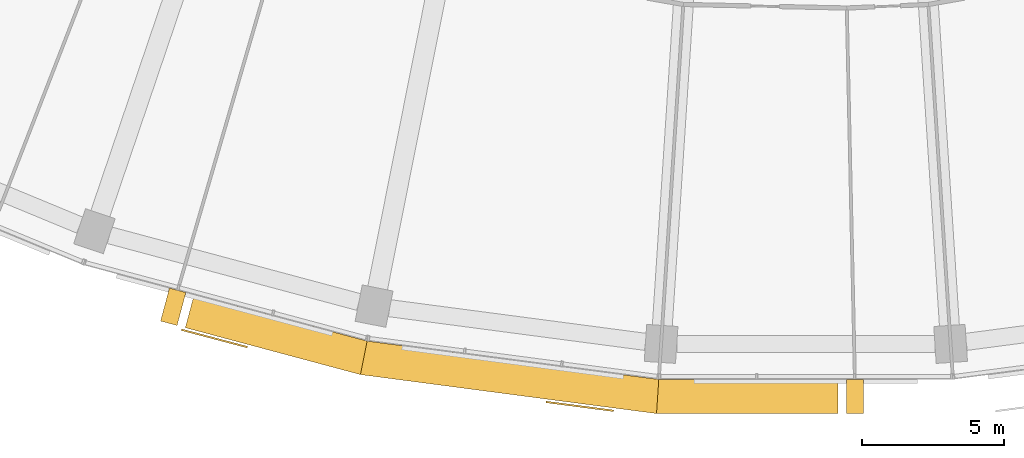
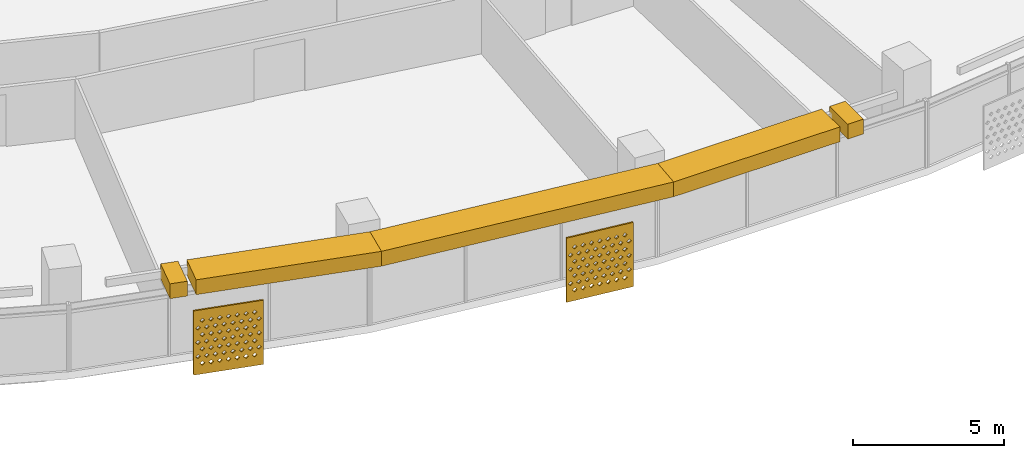
# One storey, part 24 of 27: 7 shading devices.
"""IFC4 building model written with IfcOpenShell, lengths in metres."""

import ifcopenshell
import ifcopenshell.guid

model = None  # the IFC model being written
_history = None  # IfcOwnerHistory: only IFC2X3 demands one
_inside = {}  # id of a spatial element -> (the spatial element, [elements in it])
_under = {}  # id of a project, library or spatial element -> (it, [spatial elements below it])
_declared = {}  # id of a project -> (the project, [libraries it declares])
_typed = {}  # id of a type object -> (the type object, [elements of that type])
_made_of = {}  # id of a material, layer set ... -> (it, [elements and type objects made of it])


def new_model(schema):
    """Start an empty IFC model of exactly this schema.

    Asked for "IFC4X3", IfcOpenShell would pick the latest addendum, in which some entities
    have other attributes; the version numbers below select the first issue.
    IFC2X3 requires an IfcOwnerHistory on every rooted entity: one is made here for all.
    """
    global model, _history
    if schema == "IFC4X3":
        model = ifcopenshell.file(schema_version=(4, 3, 0, 0))
    else:
        model = ifcopenshell.file(schema=schema)
    _inside.clear()
    _under.clear()
    _declared.clear()
    _typed.clear()
    _made_of.clear()
    _history = None
    if model.schema == "IFC2X3":
        org = make("IfcOrganization", Name="unknown")
        user = make(
            "IfcPersonAndOrganization",
            ThePerson=make("IfcPerson", FamilyName="unknown"),
            TheOrganization=org,
        )
        app = make(
            "IfcApplication",
            ApplicationDeveloper=org,
            Version="unknown",
            ApplicationFullName="unknown",
            ApplicationIdentifier="unknown",
        )
        _history = make(
            "IfcOwnerHistory",
            OwningUser=user,
            OwningApplication=app,
            ChangeAction="ADDED",
            CreationDate=0,
        )
    return model


def make(cls, **values):
    """One entity of the class cls with the attributes given. An attribute that is None is left unset."""
    return model.create_entity(
        cls, **{name: value for name, value in values.items() if value is not None}
    )


def rooted(cls, **values):
    """An entity with a GlobalId (a new one), such as an element, a storey or a relation."""
    return make(cls, GlobalId=ifcopenshell.guid.new(), OwnerHistory=_history, **values)


def si_unit(unit_type, name, prefix=None):
    """IfcSIUnit, for example si_unit("LENGTHUNIT", "METRE", prefix="MILLI")."""
    return make("IfcSIUnit", UnitType=unit_type, Prefix=prefix, Name=name)


def assignment(units):
    """IfcUnitAssignment: the units of a project."""
    return None if units is None else make("IfcUnitAssignment", Units=units)


def point(xyz):
    """IfcCartesianPoint."""
    return None if xyz is None else make("IfcCartesianPoint", Coordinates=xyz)


def direction(xyz):
    """IfcDirection."""
    return None if xyz is None else make("IfcDirection", DirectionRatios=xyz)


def frame(location, z_axis=None, x_axis=None):
    """IfcAxis2Placement3D, a coordinate frame: its origin and axes. An axis left out is left unset."""
    return make(
        "IfcAxis2Placement3D",
        Location=point(location),
        Axis=direction(z_axis),
        RefDirection=direction(x_axis),
    )


def origin():
    """The frame at (0, 0, 0) with its axes left unset."""
    return frame((0.0, 0.0, 0.0))


def place(relative_to, where):
    """IfcLocalPlacement: puts the frame where relative to a parent placement (None: the world)."""
    return make(
        "IfcLocalPlacement", PlacementRelTo=relative_to, RelativePlacement=where
    )


def context(
    kind, dimensions, precision=None, world=None, true_north=None, identifier=None
):
    """IfcGeometricRepresentationContext, for example the 3D "Model" context."""
    return make(
        "IfcGeometricRepresentationContext",
        ContextIdentifier=identifier,
        ContextType=kind,
        CoordinateSpaceDimension=dimensions,
        Precision=precision,
        WorldCoordinateSystem=world,
        TrueNorth=true_north,
    )


def subcontext(parent, identifier, kind, view, scale=None):
    """IfcGeometricRepresentationSubContext, for example "Body" below "Model"."""
    return make(
        "IfcGeometricRepresentationSubContext",
        ContextIdentifier=identifier,
        ContextType=kind,
        ParentContext=parent,
        TargetScale=scale,
        TargetView=view,
    )


def project(units=None, contexts=None):
    """IfcProject with its units and contexts."""
    return rooted(
        "IfcProject",
        Name="project",
        RepresentationContexts=contexts,
        UnitsInContext=assignment(units),
    )


def spatial(cls, under=None, at=None, **own):
    """A site, building, storey or space (cls), placed at a placement, below another one or the project."""
    s = rooted(cls, ObjectPlacement=at, **own)
    if under is not None:
        _under.setdefault(under.id(), (under, []))[1].append(s)
    return s


def polyline(points):
    """IfcPolyline through the points."""
    return make("IfcPolyline", Points=[point(p) for p in points])


def outline(outer, holes=None, kind="AREA"):
    """IfcArbitraryClosedProfileDef: a profile drawn as a closed curve; with holes, ...WithVoids."""
    if holes is None:
        return make("IfcArbitraryClosedProfileDef", ProfileType=kind, OuterCurve=outer)
    return make(
        "IfcArbitraryProfileDefWithVoids",
        ProfileType=kind,
        OuterCurve=outer,
        InnerCurves=holes,
    )


def extrude(swept, where, along, depth):
    """IfcExtrudedAreaSolid: the profile swept, set in the frame where, extruded along a direction by depth."""
    return make(
        "IfcExtrudedAreaSolid",
        SweptArea=swept,
        Position=where,
        ExtrudedDirection=direction(along),
        Depth=depth,
    )


def shape(context_of_items, identifier, shape_type, items):
    """IfcShapeRepresentation: the items that make up one representation, for example the "Body"."""
    return make(
        "IfcShapeRepresentation",
        ContextOfItems=context_of_items,
        RepresentationIdentifier=identifier,
        RepresentationType=shape_type,
        Items=items,
    )


def material(Name=None, Category=None):
    """IfcMaterial."""
    return make("IfcMaterial", Name=Name, Category=Category)


def material_profile(
    of_material, cross_section, Name=None, Category=None, Priority=None
):
    """IfcMaterialProfile: a cross section and its material."""
    return make(
        "IfcMaterialProfile",
        Name=Name,
        Material=of_material,
        Profile=cross_section,
        Priority=Priority,
        Category=Category,
    )


def profile_set(profiles, Name=None, composite=None):
    """IfcMaterialProfileSet."""
    return make(
        "IfcMaterialProfileSet",
        Name=Name,
        MaterialProfiles=profiles,
        CompositeProfile=composite,
    )


def made_of(thing, what):
    """Note that an element or type object is made of a material, layer set ...; save() writes the relation."""
    if what is not None:
        _made_of.setdefault(what.id(), (what, []))[1].append(thing)
    return thing


def type_object(cls, material=None, **own):
    """A type object (cls), such as IfcWallType, which elements share."""
    return made_of(rooted(cls, **own), material)


def element(
    cls,
    number,
    at=None,
    inside=None,
    cuts=None,
    type_object=None,
    material=None,
    context=None,
    identifier="Body",
    shape_type=None,
    held_by="IfcProductDefinitionShape",
    body=None,
    shapes=None,
    **own,
):
    """One element of the class cls, such as IfcWall. Its Tag is "e" and its number.

    at: its placement. inside: the storey or other place that contains it. cuts: it is an
    opening in that element (IfcRelVoidsElement). A single representation is given by context,
    identifier, shape_type and body (its items); several are given by shapes. held_by: the class
    of the entity that holds the representations. save() writes the other relations.
    """
    e = rooted(cls, Tag="e%d" % number, ObjectPlacement=at, **own)
    if body is not None:
        shapes = [shape(context, identifier, shape_type, body)]
    if shapes is not None:
        e.Representation = make(held_by, Representations=shapes)
    if inside is not None:
        _inside.setdefault(inside.id(), (inside, []))[1].append(e)
    if cuts is not None:
        rooted(
            "IfcRelVoidsElement", RelatingBuildingElement=cuts, RelatedOpeningElement=e
        )
    if type_object is not None:
        _typed.setdefault(type_object.id(), (type_object, []))[1].append(e)
    return made_of(e, material)


def aggregate(whole, parts):
    """IfcRelAggregates: a whole, such as a stair, and the parts it consists of."""
    return rooted("IfcRelAggregates", RelatingObject=whole, RelatedObjects=parts)


def save(model, path):
    """Write the relations noted so far, then the file.

    IfcRelAggregates (storeys below a building ...), IfcRelContainedInSpatialStructure (elements
    in a storey), IfcRelDefinesByType, IfcRelAssociatesMaterial and IfcRelDeclares: one each for
    every whole, place, type object, material and project.
    """
    for whole, parts in _under.values():
        aggregate(whole, parts)
    for where, things in _inside.values():
        rooted(
            "IfcRelContainedInSpatialStructure",
            RelatedElements=things,
            RelatingStructure=where,
        )
    for kind, things in _typed.values():
        rooted("IfcRelDefinesByType", RelatedObjects=things, RelatingType=kind)
    for what, things in _made_of.values():
        rooted("IfcRelAssociatesMaterial", RelatedObjects=things, RelatingMaterial=what)
    for by, libraries in _declared.values():
        rooted("IfcRelDeclares", RelatingContext=by, RelatedDefinitions=libraries)
    model.write(path)


model = new_model("IFC4")

# Units and contexts
model_context = context("Model", 3, precision=1e-05, world=origin(), true_north=direction((0.0, 1.0)))
body_context = subcontext(model_context, "Body", "Model", "MODEL_VIEW")
ifc_project = project(units=[si_unit("LENGTHUNIT", "METRE"), si_unit("AREAUNIT", "SQUARE_METRE"), si_unit("VOLUMEUNIT", "CUBIC_METRE"), si_unit("PLANEANGLEUNIT", "RADIAN"), si_unit("MASSUNIT", "GRAM", prefix="KILO")], contexts=[model_context])

# Site, building, storey
site_placement = place(None, origin())
site = spatial("IfcSite", under=ifc_project, at=site_placement, CompositionType="ELEMENT")
building_placement = place(site_placement, origin())
building = spatial("IfcBuilding", under=site, at=building_placement, Name="Qamariyya Broadcast Tower", CompositionType="ELEMENT")
storey_placement = place(building_placement, frame((0.0, 0.0, 175.89990234375)))
storey = spatial("IfcBuildingStorey", under=building, at=storey_placement, Name="L41", CompositionType="ELEMENT", Elevation=175.89990234375)

# Shading devices
ifc_material_1 = material(Name="Steel S355 powder coated deep red", Category="steel")
shading_device_type_1 = type_object("IfcShadingDeviceType", Name="Deep red frame, powder coated steel box section", PredefinedType="USERDEFINED", material=ifc_material_1)
shading_device_1_placement = place(storey_placement, frame((0.0, 0.0, 3.2001953125)))
element("IfcShadingDevice", 1, at=shading_device_1_placement, inside=storey, type_object=shading_device_type_1, Name="e-frm-B3-F2-posta-L41", ObjectType="FRAME", PredefinedType="USERDEFINED", context=body_context, shape_type="SweptSolid", body=[
    extrude(outline(polyline([(-22.356201171875, -75.621337890625), (-22.6669921875, -76.780517578125), (-22.08740234375, -76.935791015625), (-21.77685546875, -75.776611328125), (-22.356201171875, -75.621337890625)])), origin(), (0.0, 0.0, 1.0), 0.599853515625),
])
shading_device_2_placement = place(storey_placement, frame((0.0, 0.0, 3.2001953125)))
element("IfcShadingDevice", 2, at=shading_device_2_placement, inside=storey, type_object=shading_device_type_1, Name="e-frm-B3-F2-postb-L41", ObjectType="FRAME", PredefinedType="USERDEFINED", context=body_context, shape_type="SweptSolid", body=[
    extrude(outline(polyline([(1.42236328125, -78.830810546875), (1.42236328125, -80.03076171875), (2.022216796875, -80.03076171875), (2.022216796875, -78.830810546875), (1.42236328125, -78.830810546875)])), origin(), (0.0, 0.0, 1.0), 0.599853515625),
])
shading_device_3_placement = place(storey_placement, frame((0.0, 0.0, 3.2001953125)))
element("IfcShadingDevice", 3, at=shading_device_3_placement, inside=storey, type_object=shading_device_type_1, Name="e-frm-B3-F2-bot0", ObjectType="FRAME", PredefinedType="USERDEFINED", context=body_context, shape_type="SweptSolid", body=[
    extrude(outline(polyline([(-21.487060546875, -75.854248046875), (-21.797607421875, -77.013427734375), (-15.646728515625, -78.66162109375), (-15.412109375, -77.48193359375), (-21.487060546875, -75.854248046875)])), origin(), (0.0, 0.0, 1.0), 0.599853515625),
])
shading_device_4_placement = place(storey_placement, frame((0.0, 0.0, 3.2001953125)))
element("IfcShadingDevice", 4, at=shading_device_4_placement, inside=storey, type_object=shading_device_type_1, Name="e-frm-B3-F2-bot1", ObjectType="FRAME", PredefinedType="USERDEFINED", context=body_context, shape_type="SweptSolid", body=[
    extrude(outline(polyline([(-15.412109375, -77.48193359375), (-15.646728515625, -78.66162109375), (-5.24560546875, -80.03076171875), (-5.166748046875, -78.830810546875), (-15.412109375, -77.48193359375)])), origin(), (0.0, 0.0, 1.0), 0.599853515625),
])
shading_device_5_placement = place(storey_placement, frame((0.0, 0.0, 3.2001953125)))
element("IfcShadingDevice", 5, at=shading_device_5_placement, inside=storey, type_object=shading_device_type_1, Name="e-frm-B3-F2-bot2", ObjectType="FRAME", PredefinedType="USERDEFINED", context=body_context, shape_type="SweptSolid", body=[
    extrude(outline(polyline([(-5.166748046875, -78.830810546875), (-5.24560546875, -80.03076171875), (1.122314453125, -80.03076171875), (1.122314453125, -78.830810546875), (-5.166748046875, -78.830810546875)])), origin(), (0.0, 0.0, 1.0), 0.599853515625),
])
ifc_material_2 = material(Name="Perforated glazed terracotta", Category="masonry")
ifc_material_profile = material_profile(ifc_material_2, outline(polyline([(-1.199951171875, -1.300048828125), (1.199951171875, -1.300048828125), (1.199951171875, 1.300048828125), (-1.199951171875, 1.300048828125), (-1.199951171875, -1.300048828125)]), holes=[polyline([(-0.81494140625, -0.86669921875), (-0.89990234375, -0.78173828125), (-0.985107421875, -0.86669921875), (-0.89990234375, -0.95166015625), (-0.81494140625, -0.86669921875)]), polyline([(-0.514892578125, -0.86669921875), (-0.60009765625, -0.78173828125), (-0.68505859375, -0.86669921875), (-0.60009765625, -0.95166015625), (-0.514892578125, -0.86669921875)]), polyline([(-0.215087890625, -0.86669921875), (-0.300048828125, -0.78173828125), (-0.385009765625, -0.86669921875), (-0.300048828125, -0.95166015625), (-0.215087890625, -0.86669921875)]), polyline([(0.0849609375, -0.86669921875), (0.0, -0.78173828125), (-0.0849609375, -0.86669921875), (0.0, -0.95166015625), (0.0849609375, -0.86669921875)]), polyline([(0.385009765625, -0.86669921875), (0.300048828125, -0.78173828125), (0.215087890625, -0.86669921875), (0.300048828125, -0.95166015625), (0.385009765625, -0.86669921875)]), polyline([(0.68505859375, -0.86669921875), (0.60009765625, -0.78173828125), (0.514892578125, -0.86669921875), (0.60009765625, -0.95166015625), (0.68505859375, -0.86669921875)]), polyline([(0.985107421875, -0.86669921875), (0.89990234375, -0.78173828125), (0.81494140625, -0.86669921875), (0.89990234375, -0.95166015625), (0.985107421875, -0.86669921875)]), polyline([(-0.965087890625, -0.577880859375), (-1.050048828125, -0.49267578125), (-1.135009765625, -0.577880859375), (-1.050048828125, -0.662841796875), (-0.965087890625, -0.577880859375)]), polyline([(-0.6650390625, -0.577880859375), (-0.75, -0.49267578125), (-0.8349609375, -0.577880859375), (-0.75, -0.662841796875), (-0.6650390625, -0.577880859375)]), polyline([(-0.364990234375, -0.577880859375), (-0.449951171875, -0.49267578125), (-0.534912109375, -0.577880859375), (-0.449951171875, -0.662841796875), (-0.364990234375, -0.577880859375)]), polyline([(-0.06494140625, -0.577880859375), (-0.14990234375, -0.49267578125), (-0.235107421875, -0.577880859375), (-0.14990234375, -0.662841796875), (-0.06494140625, -0.577880859375)]), polyline([(0.235107421875, -0.577880859375), (0.14990234375, -0.49267578125), (0.06494140625, -0.577880859375), (0.14990234375, -0.662841796875), (0.235107421875, -0.577880859375)]), polyline([(0.534912109375, -0.577880859375), (0.449951171875, -0.49267578125), (0.364990234375, -0.577880859375), (0.449951171875, -0.662841796875), (0.534912109375, -0.577880859375)]), polyline([(0.8349609375, -0.577880859375), (0.75, -0.49267578125), (0.6650390625, -0.577880859375), (0.75, -0.662841796875), (0.8349609375, -0.577880859375)]), polyline([(1.135009765625, -0.577880859375), (1.050048828125, -0.49267578125), (0.965087890625, -0.577880859375), (1.050048828125, -0.662841796875), (1.135009765625, -0.577880859375)]), polyline([(-0.81494140625, -0.288818359375), (-0.89990234375, -0.203857421875), (-0.985107421875, -0.288818359375), (-0.89990234375, -0.373779296875), (-0.81494140625, -0.288818359375)]), polyline([(-0.514892578125, -0.288818359375), (-0.60009765625, -0.203857421875), (-0.68505859375, -0.288818359375), (-0.60009765625, -0.373779296875), (-0.514892578125, -0.288818359375)]), polyline([(-0.215087890625, -0.288818359375), (-0.300048828125, -0.203857421875), (-0.385009765625, -0.288818359375), (-0.300048828125, -0.373779296875), (-0.215087890625, -0.288818359375)]), polyline([(0.0849609375, -0.288818359375), (0.0, -0.203857421875), (-0.0849609375, -0.288818359375), (0.0, -0.373779296875), (0.0849609375, -0.288818359375)]), polyline([(0.385009765625, -0.288818359375), (0.300048828125, -0.203857421875), (0.215087890625, -0.288818359375), (0.300048828125, -0.373779296875), (0.385009765625, -0.288818359375)]), polyline([(0.68505859375, -0.288818359375), (0.60009765625, -0.203857421875), (0.514892578125, -0.288818359375), (0.60009765625, -0.373779296875), (0.68505859375, -0.288818359375)]), polyline([(0.985107421875, -0.288818359375), (0.89990234375, -0.203857421875), (0.81494140625, -0.288818359375), (0.89990234375, -0.373779296875), (0.985107421875, -0.288818359375)]), polyline([(-0.965087890625, 0.0), (-1.050048828125, 0.0849609375), (-1.135009765625, 0.0), (-1.050048828125, -0.0849609375), (-0.965087890625, 0.0)]), polyline([(-0.6650390625, 0.0), (-0.75, 0.0849609375), (-0.8349609375, 0.0), (-0.75, -0.0849609375), (-0.6650390625, 0.0)]), polyline([(-0.364990234375, 0.0), (-0.449951171875, 0.0849609375), (-0.534912109375, 0.0), (-0.449951171875, -0.0849609375), (-0.364990234375, 0.0)]), polyline([(-0.06494140625, 0.0), (-0.14990234375, 0.0849609375), (-0.235107421875, 0.0), (-0.14990234375, -0.0849609375), (-0.06494140625, 0.0)]), polyline([(0.235107421875, 0.0), (0.14990234375, 0.0849609375), (0.06494140625, 0.0), (0.14990234375, -0.0849609375), (0.235107421875, 0.0)]), polyline([(0.534912109375, 0.0), (0.449951171875, 0.0849609375), (0.364990234375, 0.0), (0.449951171875, -0.0849609375), (0.534912109375, 0.0)]), polyline([(0.8349609375, 0.0), (0.75, 0.0849609375), (0.6650390625, 0.0), (0.75, -0.0849609375), (0.8349609375, 0.0)]), polyline([(1.135009765625, 0.0), (1.050048828125, 0.0849609375), (0.965087890625, 0.0), (1.050048828125, -0.0849609375), (1.135009765625, 0.0)]), polyline([(-0.81494140625, 0.288818359375), (-0.89990234375, 0.373779296875), (-0.985107421875, 0.288818359375), (-0.89990234375, 0.203857421875), (-0.81494140625, 0.288818359375)]), polyline([(-0.514892578125, 0.288818359375), (-0.60009765625, 0.373779296875), (-0.68505859375, 0.288818359375), (-0.60009765625, 0.203857421875), (-0.514892578125, 0.288818359375)]), polyline([(-0.215087890625, 0.288818359375), (-0.300048828125, 0.373779296875), (-0.385009765625, 0.288818359375), (-0.300048828125, 0.203857421875), (-0.215087890625, 0.288818359375)]), polyline([(0.0849609375, 0.288818359375), (0.0, 0.373779296875), (-0.0849609375, 0.288818359375), (0.0, 0.203857421875), (0.0849609375, 0.288818359375)]), polyline([(0.385009765625, 0.288818359375), (0.300048828125, 0.373779296875), (0.215087890625, 0.288818359375), (0.300048828125, 0.203857421875), (0.385009765625, 0.288818359375)]), polyline([(0.68505859375, 0.288818359375), (0.60009765625, 0.373779296875), (0.514892578125, 0.288818359375), (0.60009765625, 0.203857421875), (0.68505859375, 0.288818359375)]), polyline([(0.985107421875, 0.288818359375), (0.89990234375, 0.373779296875), (0.81494140625, 0.288818359375), (0.89990234375, 0.203857421875), (0.985107421875, 0.288818359375)]), polyline([(-0.965087890625, 0.577880859375), (-1.050048828125, 0.662841796875), (-1.135009765625, 0.577880859375), (-1.050048828125, 0.49267578125), (-0.965087890625, 0.577880859375)]), polyline([(-0.6650390625, 0.577880859375), (-0.75, 0.662841796875), (-0.8349609375, 0.577880859375), (-0.75, 0.49267578125), (-0.6650390625, 0.577880859375)]), polyline([(-0.364990234375, 0.577880859375), (-0.449951171875, 0.662841796875), (-0.534912109375, 0.577880859375), (-0.449951171875, 0.49267578125), (-0.364990234375, 0.577880859375)]), polyline([(-0.06494140625, 0.577880859375), (-0.14990234375, 0.662841796875), (-0.235107421875, 0.577880859375), (-0.14990234375, 0.49267578125), (-0.06494140625, 0.577880859375)]), polyline([(0.235107421875, 0.577880859375), (0.14990234375, 0.662841796875), (0.06494140625, 0.577880859375), (0.14990234375, 0.49267578125), (0.235107421875, 0.577880859375)]), polyline([(0.534912109375, 0.577880859375), (0.449951171875, 0.662841796875), (0.364990234375, 0.577880859375), (0.449951171875, 0.49267578125), (0.534912109375, 0.577880859375)]), polyline([(0.8349609375, 0.577880859375), (0.75, 0.662841796875), (0.6650390625, 0.577880859375), (0.75, 0.49267578125), (0.8349609375, 0.577880859375)]), polyline([(1.135009765625, 0.577880859375), (1.050048828125, 0.662841796875), (0.965087890625, 0.577880859375), (1.050048828125, 0.49267578125), (1.135009765625, 0.577880859375)]), polyline([(-0.81494140625, 0.86669921875), (-0.89990234375, 0.95166015625), (-0.985107421875, 0.86669921875), (-0.89990234375, 0.78173828125), (-0.81494140625, 0.86669921875)]), polyline([(-0.514892578125, 0.86669921875), (-0.60009765625, 0.95166015625), (-0.68505859375, 0.86669921875), (-0.60009765625, 0.78173828125), (-0.514892578125, 0.86669921875)]), polyline([(-0.215087890625, 0.86669921875), (-0.300048828125, 0.95166015625), (-0.385009765625, 0.86669921875), (-0.300048828125, 0.78173828125), (-0.215087890625, 0.86669921875)]), polyline([(0.0849609375, 0.86669921875), (0.0, 0.95166015625), (-0.0849609375, 0.86669921875), (0.0, 0.78173828125), (0.0849609375, 0.86669921875)]), polyline([(0.385009765625, 0.86669921875), (0.300048828125, 0.95166015625), (0.215087890625, 0.86669921875), (0.300048828125, 0.78173828125), (0.385009765625, 0.86669921875)]), polyline([(0.68505859375, 0.86669921875), (0.60009765625, 0.95166015625), (0.514892578125, 0.86669921875), (0.60009765625, 0.78173828125), (0.68505859375, 0.86669921875)]), polyline([(0.985107421875, 0.86669921875), (0.89990234375, 0.95166015625), (0.81494140625, 0.86669921875), (0.89990234375, 0.78173828125), (0.985107421875, 0.86669921875)])]))
ifc_profile_set = profile_set([ifc_material_profile], Name="Perforated glazed terracotta")
shading_device_type_2 = type_object("IfcShadingDeviceType", Name="Perforated terracotta screen 2400 x 2600", PredefinedType="USERDEFINED", material=ifc_profile_set)
shading_device_6_placement = place(storey_placement, frame((-20.77197265625, -77.360595703125, 1.35009765625), z_axis=(-0.255892560316, -0.966705227862, 0.0), x_axis=(0.966705227862, -0.255892560316, 0.0)))
element("IfcShadingDevice", 6, at=shading_device_6_placement, inside=storey, type_object=shading_device_type_2, Name="e-scr-L41-05-1", ObjectType="SCREEN", PredefinedType="USERDEFINED", context=body_context, shape_type="SweptSolid", body=[
    extrude(outline(polyline([(-1.199951171875, -1.300048828125), (1.199951171875, -1.300048828125), (1.199951171875, 1.300048828125), (-1.199951171875, 1.300048828125), (-1.199951171875, -1.300048828125)]), holes=[polyline([(-0.81494140625, -0.86669921875), (-0.89990234375, -0.78173828125), (-0.985107421875, -0.86669921875), (-0.89990234375, -0.95166015625), (-0.81494140625, -0.86669921875)]), polyline([(-0.514892578125, -0.86669921875), (-0.60009765625, -0.78173828125), (-0.68505859375, -0.86669921875), (-0.60009765625, -0.95166015625), (-0.514892578125, -0.86669921875)]), polyline([(-0.215087890625, -0.86669921875), (-0.300048828125, -0.78173828125), (-0.385009765625, -0.86669921875), (-0.300048828125, -0.95166015625), (-0.215087890625, -0.86669921875)]), polyline([(0.0849609375, -0.86669921875), (0.0, -0.78173828125), (-0.0849609375, -0.86669921875), (0.0, -0.95166015625), (0.0849609375, -0.86669921875)]), polyline([(0.385009765625, -0.86669921875), (0.300048828125, -0.78173828125), (0.215087890625, -0.86669921875), (0.300048828125, -0.95166015625), (0.385009765625, -0.86669921875)]), polyline([(0.68505859375, -0.86669921875), (0.60009765625, -0.78173828125), (0.514892578125, -0.86669921875), (0.60009765625, -0.95166015625), (0.68505859375, -0.86669921875)]), polyline([(0.985107421875, -0.86669921875), (0.89990234375, -0.78173828125), (0.81494140625, -0.86669921875), (0.89990234375, -0.95166015625), (0.985107421875, -0.86669921875)]), polyline([(-0.965087890625, -0.577880859375), (-1.050048828125, -0.49267578125), (-1.135009765625, -0.577880859375), (-1.050048828125, -0.662841796875), (-0.965087890625, -0.577880859375)]), polyline([(-0.6650390625, -0.577880859375), (-0.75, -0.49267578125), (-0.8349609375, -0.577880859375), (-0.75, -0.662841796875), (-0.6650390625, -0.577880859375)]), polyline([(-0.364990234375, -0.577880859375), (-0.449951171875, -0.49267578125), (-0.534912109375, -0.577880859375), (-0.449951171875, -0.662841796875), (-0.364990234375, -0.577880859375)]), polyline([(-0.06494140625, -0.577880859375), (-0.14990234375, -0.49267578125), (-0.235107421875, -0.577880859375), (-0.14990234375, -0.662841796875), (-0.06494140625, -0.577880859375)]), polyline([(0.235107421875, -0.577880859375), (0.14990234375, -0.49267578125), (0.06494140625, -0.577880859375), (0.14990234375, -0.662841796875), (0.235107421875, -0.577880859375)]), polyline([(0.534912109375, -0.577880859375), (0.449951171875, -0.49267578125), (0.364990234375, -0.577880859375), (0.449951171875, -0.662841796875), (0.534912109375, -0.577880859375)]), polyline([(0.8349609375, -0.577880859375), (0.75, -0.49267578125), (0.6650390625, -0.577880859375), (0.75, -0.662841796875), (0.8349609375, -0.577880859375)]), polyline([(1.135009765625, -0.577880859375), (1.050048828125, -0.49267578125), (0.965087890625, -0.577880859375), (1.050048828125, -0.662841796875), (1.135009765625, -0.577880859375)]), polyline([(-0.81494140625, -0.288818359375), (-0.89990234375, -0.203857421875), (-0.985107421875, -0.288818359375), (-0.89990234375, -0.373779296875), (-0.81494140625, -0.288818359375)]), polyline([(-0.514892578125, -0.288818359375), (-0.60009765625, -0.203857421875), (-0.68505859375, -0.288818359375), (-0.60009765625, -0.373779296875), (-0.514892578125, -0.288818359375)]), polyline([(-0.215087890625, -0.288818359375), (-0.300048828125, -0.203857421875), (-0.385009765625, -0.288818359375), (-0.300048828125, -0.373779296875), (-0.215087890625, -0.288818359375)]), polyline([(0.0849609375, -0.288818359375), (0.0, -0.203857421875), (-0.0849609375, -0.288818359375), (0.0, -0.373779296875), (0.0849609375, -0.288818359375)]), polyline([(0.385009765625, -0.288818359375), (0.300048828125, -0.203857421875), (0.215087890625, -0.288818359375), (0.300048828125, -0.373779296875), (0.385009765625, -0.288818359375)]), polyline([(0.68505859375, -0.288818359375), (0.60009765625, -0.203857421875), (0.514892578125, -0.288818359375), (0.60009765625, -0.373779296875), (0.68505859375, -0.288818359375)]), polyline([(0.985107421875, -0.288818359375), (0.89990234375, -0.203857421875), (0.81494140625, -0.288818359375), (0.89990234375, -0.373779296875), (0.985107421875, -0.288818359375)]), polyline([(-0.965087890625, 0.0), (-1.050048828125, 0.0849609375), (-1.135009765625, 0.0), (-1.050048828125, -0.0849609375), (-0.965087890625, 0.0)]), polyline([(-0.6650390625, 0.0), (-0.75, 0.0849609375), (-0.8349609375, 0.0), (-0.75, -0.0849609375), (-0.6650390625, 0.0)]), polyline([(-0.364990234375, 0.0), (-0.449951171875, 0.0849609375), (-0.534912109375, 0.0), (-0.449951171875, -0.0849609375), (-0.364990234375, 0.0)]), polyline([(-0.06494140625, 0.0), (-0.14990234375, 0.0849609375), (-0.235107421875, 0.0), (-0.14990234375, -0.0849609375), (-0.06494140625, 0.0)]), polyline([(0.235107421875, 0.0), (0.14990234375, 0.0849609375), (0.06494140625, 0.0), (0.14990234375, -0.0849609375), (0.235107421875, 0.0)]), polyline([(0.534912109375, 0.0), (0.449951171875, 0.0849609375), (0.364990234375, 0.0), (0.449951171875, -0.0849609375), (0.534912109375, 0.0)]), polyline([(0.8349609375, 0.0), (0.75, 0.0849609375), (0.6650390625, 0.0), (0.75, -0.0849609375), (0.8349609375, 0.0)]), polyline([(1.135009765625, 0.0), (1.050048828125, 0.0849609375), (0.965087890625, 0.0), (1.050048828125, -0.0849609375), (1.135009765625, 0.0)]), polyline([(-0.81494140625, 0.288818359375), (-0.89990234375, 0.373779296875), (-0.985107421875, 0.288818359375), (-0.89990234375, 0.203857421875), (-0.81494140625, 0.288818359375)]), polyline([(-0.514892578125, 0.288818359375), (-0.60009765625, 0.373779296875), (-0.68505859375, 0.288818359375), (-0.60009765625, 0.203857421875), (-0.514892578125, 0.288818359375)]), polyline([(-0.215087890625, 0.288818359375), (-0.300048828125, 0.373779296875), (-0.385009765625, 0.288818359375), (-0.300048828125, 0.203857421875), (-0.215087890625, 0.288818359375)]), polyline([(0.0849609375, 0.288818359375), (0.0, 0.373779296875), (-0.0849609375, 0.288818359375), (0.0, 0.203857421875), (0.0849609375, 0.288818359375)]), polyline([(0.385009765625, 0.288818359375), (0.300048828125, 0.373779296875), (0.215087890625, 0.288818359375), (0.300048828125, 0.203857421875), (0.385009765625, 0.288818359375)]), polyline([(0.68505859375, 0.288818359375), (0.60009765625, 0.373779296875), (0.514892578125, 0.288818359375), (0.60009765625, 0.203857421875), (0.68505859375, 0.288818359375)]), polyline([(0.985107421875, 0.288818359375), (0.89990234375, 0.373779296875), (0.81494140625, 0.288818359375), (0.89990234375, 0.203857421875), (0.985107421875, 0.288818359375)]), polyline([(-0.965087890625, 0.577880859375), (-1.050048828125, 0.662841796875), (-1.135009765625, 0.577880859375), (-1.050048828125, 0.49267578125), (-0.965087890625, 0.577880859375)]), polyline([(-0.6650390625, 0.577880859375), (-0.75, 0.662841796875), (-0.8349609375, 0.577880859375), (-0.75, 0.49267578125), (-0.6650390625, 0.577880859375)]), polyline([(-0.364990234375, 0.577880859375), (-0.449951171875, 0.662841796875), (-0.534912109375, 0.577880859375), (-0.449951171875, 0.49267578125), (-0.364990234375, 0.577880859375)]), polyline([(-0.06494140625, 0.577880859375), (-0.14990234375, 0.662841796875), (-0.235107421875, 0.577880859375), (-0.14990234375, 0.49267578125), (-0.06494140625, 0.577880859375)]), polyline([(0.235107421875, 0.577880859375), (0.14990234375, 0.662841796875), (0.06494140625, 0.577880859375), (0.14990234375, 0.49267578125), (0.235107421875, 0.577880859375)]), polyline([(0.534912109375, 0.577880859375), (0.449951171875, 0.662841796875), (0.364990234375, 0.577880859375), (0.449951171875, 0.49267578125), (0.534912109375, 0.577880859375)]), polyline([(0.8349609375, 0.577880859375), (0.75, 0.662841796875), (0.6650390625, 0.577880859375), (0.75, 0.49267578125), (0.8349609375, 0.577880859375)]), polyline([(1.135009765625, 0.577880859375), (1.050048828125, 0.662841796875), (0.965087890625, 0.577880859375), (1.050048828125, 0.49267578125), (1.135009765625, 0.577880859375)]), polyline([(-0.81494140625, 0.86669921875), (-0.89990234375, 0.95166015625), (-0.985107421875, 0.86669921875), (-0.89990234375, 0.78173828125), (-0.81494140625, 0.86669921875)]), polyline([(-0.514892578125, 0.86669921875), (-0.60009765625, 0.95166015625), (-0.68505859375, 0.86669921875), (-0.60009765625, 0.78173828125), (-0.514892578125, 0.86669921875)]), polyline([(-0.215087890625, 0.86669921875), (-0.300048828125, 0.95166015625), (-0.385009765625, 0.86669921875), (-0.300048828125, 0.78173828125), (-0.215087890625, 0.86669921875)]), polyline([(0.0849609375, 0.86669921875), (0.0, 0.95166015625), (-0.0849609375, 0.86669921875), (0.0, 0.78173828125), (0.0849609375, 0.86669921875)]), polyline([(0.385009765625, 0.86669921875), (0.300048828125, 0.95166015625), (0.215087890625, 0.86669921875), (0.300048828125, 0.78173828125), (0.385009765625, 0.86669921875)]), polyline([(0.68505859375, 0.86669921875), (0.60009765625, 0.95166015625), (0.514892578125, 0.86669921875), (0.60009765625, 0.78173828125), (0.68505859375, 0.86669921875)]), polyline([(0.985107421875, 0.86669921875), (0.89990234375, 0.95166015625), (0.81494140625, 0.86669921875), (0.89990234375, 0.78173828125), (0.985107421875, 0.86669921875)])]), origin(), (0.0, 0.0, 1.0), 0.06005859375),
])
shading_device_7_placement = place(storey_placement, frame((-7.935302734375, -79.747314453125, 1.35009765625), z_axis=(-0.1300340368, -0.991509530601, 0.0), x_axis=(0.991509530601, -0.1300340368, 0.0)))
element("IfcShadingDevice", 7, at=shading_device_7_placement, inside=storey, type_object=shading_device_type_2, Name="e-scr-L41-06-2", ObjectType="SCREEN", PredefinedType="USERDEFINED", context=body_context, shape_type="SweptSolid", body=[
    extrude(outline(polyline([(-1.199951171875, -1.300048828125), (1.199951171875, -1.300048828125), (1.199951171875, 1.300048828125), (-1.199951171875, 1.300048828125), (-1.199951171875, -1.300048828125)]), holes=[polyline([(-0.81494140625, -0.86669921875), (-0.89990234375, -0.78173828125), (-0.985107421875, -0.86669921875), (-0.89990234375, -0.95166015625), (-0.81494140625, -0.86669921875)]), polyline([(-0.514892578125, -0.86669921875), (-0.60009765625, -0.78173828125), (-0.68505859375, -0.86669921875), (-0.60009765625, -0.95166015625), (-0.514892578125, -0.86669921875)]), polyline([(-0.215087890625, -0.86669921875), (-0.300048828125, -0.78173828125), (-0.385009765625, -0.86669921875), (-0.300048828125, -0.95166015625), (-0.215087890625, -0.86669921875)]), polyline([(0.0849609375, -0.86669921875), (0.0, -0.78173828125), (-0.0849609375, -0.86669921875), (0.0, -0.95166015625), (0.0849609375, -0.86669921875)]), polyline([(0.385009765625, -0.86669921875), (0.300048828125, -0.78173828125), (0.215087890625, -0.86669921875), (0.300048828125, -0.95166015625), (0.385009765625, -0.86669921875)]), polyline([(0.68505859375, -0.86669921875), (0.60009765625, -0.78173828125), (0.514892578125, -0.86669921875), (0.60009765625, -0.95166015625), (0.68505859375, -0.86669921875)]), polyline([(0.985107421875, -0.86669921875), (0.89990234375, -0.78173828125), (0.81494140625, -0.86669921875), (0.89990234375, -0.95166015625), (0.985107421875, -0.86669921875)]), polyline([(-0.965087890625, -0.577880859375), (-1.050048828125, -0.49267578125), (-1.135009765625, -0.577880859375), (-1.050048828125, -0.662841796875), (-0.965087890625, -0.577880859375)]), polyline([(-0.6650390625, -0.577880859375), (-0.75, -0.49267578125), (-0.8349609375, -0.577880859375), (-0.75, -0.662841796875), (-0.6650390625, -0.577880859375)]), polyline([(-0.364990234375, -0.577880859375), (-0.449951171875, -0.49267578125), (-0.534912109375, -0.577880859375), (-0.449951171875, -0.662841796875), (-0.364990234375, -0.577880859375)]), polyline([(-0.06494140625, -0.577880859375), (-0.14990234375, -0.49267578125), (-0.235107421875, -0.577880859375), (-0.14990234375, -0.662841796875), (-0.06494140625, -0.577880859375)]), polyline([(0.235107421875, -0.577880859375), (0.14990234375, -0.49267578125), (0.06494140625, -0.577880859375), (0.14990234375, -0.662841796875), (0.235107421875, -0.577880859375)]), polyline([(0.534912109375, -0.577880859375), (0.449951171875, -0.49267578125), (0.364990234375, -0.577880859375), (0.449951171875, -0.662841796875), (0.534912109375, -0.577880859375)]), polyline([(0.8349609375, -0.577880859375), (0.75, -0.49267578125), (0.6650390625, -0.577880859375), (0.75, -0.662841796875), (0.8349609375, -0.577880859375)]), polyline([(1.135009765625, -0.577880859375), (1.050048828125, -0.49267578125), (0.965087890625, -0.577880859375), (1.050048828125, -0.662841796875), (1.135009765625, -0.577880859375)]), polyline([(-0.81494140625, -0.288818359375), (-0.89990234375, -0.203857421875), (-0.985107421875, -0.288818359375), (-0.89990234375, -0.373779296875), (-0.81494140625, -0.288818359375)]), polyline([(-0.514892578125, -0.288818359375), (-0.60009765625, -0.203857421875), (-0.68505859375, -0.288818359375), (-0.60009765625, -0.373779296875), (-0.514892578125, -0.288818359375)]), polyline([(-0.215087890625, -0.288818359375), (-0.300048828125, -0.203857421875), (-0.385009765625, -0.288818359375), (-0.300048828125, -0.373779296875), (-0.215087890625, -0.288818359375)]), polyline([(0.0849609375, -0.288818359375), (0.0, -0.203857421875), (-0.0849609375, -0.288818359375), (0.0, -0.373779296875), (0.0849609375, -0.288818359375)]), polyline([(0.385009765625, -0.288818359375), (0.300048828125, -0.203857421875), (0.215087890625, -0.288818359375), (0.300048828125, -0.373779296875), (0.385009765625, -0.288818359375)]), polyline([(0.68505859375, -0.288818359375), (0.60009765625, -0.203857421875), (0.514892578125, -0.288818359375), (0.60009765625, -0.373779296875), (0.68505859375, -0.288818359375)]), polyline([(0.985107421875, -0.288818359375), (0.89990234375, -0.203857421875), (0.81494140625, -0.288818359375), (0.89990234375, -0.373779296875), (0.985107421875, -0.288818359375)]), polyline([(-0.965087890625, 0.0), (-1.050048828125, 0.0849609375), (-1.135009765625, 0.0), (-1.050048828125, -0.0849609375), (-0.965087890625, 0.0)]), polyline([(-0.6650390625, 0.0), (-0.75, 0.0849609375), (-0.8349609375, 0.0), (-0.75, -0.0849609375), (-0.6650390625, 0.0)]), polyline([(-0.364990234375, 0.0), (-0.449951171875, 0.0849609375), (-0.534912109375, 0.0), (-0.449951171875, -0.0849609375), (-0.364990234375, 0.0)]), polyline([(-0.06494140625, 0.0), (-0.14990234375, 0.0849609375), (-0.235107421875, 0.0), (-0.14990234375, -0.0849609375), (-0.06494140625, 0.0)]), polyline([(0.235107421875, 0.0), (0.14990234375, 0.0849609375), (0.06494140625, 0.0), (0.14990234375, -0.0849609375), (0.235107421875, 0.0)]), polyline([(0.534912109375, 0.0), (0.449951171875, 0.0849609375), (0.364990234375, 0.0), (0.449951171875, -0.0849609375), (0.534912109375, 0.0)]), polyline([(0.8349609375, 0.0), (0.75, 0.0849609375), (0.6650390625, 0.0), (0.75, -0.0849609375), (0.8349609375, 0.0)]), polyline([(1.135009765625, 0.0), (1.050048828125, 0.0849609375), (0.965087890625, 0.0), (1.050048828125, -0.0849609375), (1.135009765625, 0.0)]), polyline([(-0.81494140625, 0.288818359375), (-0.89990234375, 0.373779296875), (-0.985107421875, 0.288818359375), (-0.89990234375, 0.203857421875), (-0.81494140625, 0.288818359375)]), polyline([(-0.514892578125, 0.288818359375), (-0.60009765625, 0.373779296875), (-0.68505859375, 0.288818359375), (-0.60009765625, 0.203857421875), (-0.514892578125, 0.288818359375)]), polyline([(-0.215087890625, 0.288818359375), (-0.300048828125, 0.373779296875), (-0.385009765625, 0.288818359375), (-0.300048828125, 0.203857421875), (-0.215087890625, 0.288818359375)]), polyline([(0.0849609375, 0.288818359375), (0.0, 0.373779296875), (-0.0849609375, 0.288818359375), (0.0, 0.203857421875), (0.0849609375, 0.288818359375)]), polyline([(0.385009765625, 0.288818359375), (0.300048828125, 0.373779296875), (0.215087890625, 0.288818359375), (0.300048828125, 0.203857421875), (0.385009765625, 0.288818359375)]), polyline([(0.68505859375, 0.288818359375), (0.60009765625, 0.373779296875), (0.514892578125, 0.288818359375), (0.60009765625, 0.203857421875), (0.68505859375, 0.288818359375)]), polyline([(0.985107421875, 0.288818359375), (0.89990234375, 0.373779296875), (0.81494140625, 0.288818359375), (0.89990234375, 0.203857421875), (0.985107421875, 0.288818359375)]), polyline([(-0.965087890625, 0.577880859375), (-1.050048828125, 0.662841796875), (-1.135009765625, 0.577880859375), (-1.050048828125, 0.49267578125), (-0.965087890625, 0.577880859375)]), polyline([(-0.6650390625, 0.577880859375), (-0.75, 0.662841796875), (-0.8349609375, 0.577880859375), (-0.75, 0.49267578125), (-0.6650390625, 0.577880859375)]), polyline([(-0.364990234375, 0.577880859375), (-0.449951171875, 0.662841796875), (-0.534912109375, 0.577880859375), (-0.449951171875, 0.49267578125), (-0.364990234375, 0.577880859375)]), polyline([(-0.06494140625, 0.577880859375), (-0.14990234375, 0.662841796875), (-0.235107421875, 0.577880859375), (-0.14990234375, 0.49267578125), (-0.06494140625, 0.577880859375)]), polyline([(0.235107421875, 0.577880859375), (0.14990234375, 0.662841796875), (0.06494140625, 0.577880859375), (0.14990234375, 0.49267578125), (0.235107421875, 0.577880859375)]), polyline([(0.534912109375, 0.577880859375), (0.449951171875, 0.662841796875), (0.364990234375, 0.577880859375), (0.449951171875, 0.49267578125), (0.534912109375, 0.577880859375)]), polyline([(0.8349609375, 0.577880859375), (0.75, 0.662841796875), (0.6650390625, 0.577880859375), (0.75, 0.49267578125), (0.8349609375, 0.577880859375)]), polyline([(1.135009765625, 0.577880859375), (1.050048828125, 0.662841796875), (0.965087890625, 0.577880859375), (1.050048828125, 0.49267578125), (1.135009765625, 0.577880859375)]), polyline([(-0.81494140625, 0.86669921875), (-0.89990234375, 0.95166015625), (-0.985107421875, 0.86669921875), (-0.89990234375, 0.78173828125), (-0.81494140625, 0.86669921875)]), polyline([(-0.514892578125, 0.86669921875), (-0.60009765625, 0.95166015625), (-0.68505859375, 0.86669921875), (-0.60009765625, 0.78173828125), (-0.514892578125, 0.86669921875)]), polyline([(-0.215087890625, 0.86669921875), (-0.300048828125, 0.95166015625), (-0.385009765625, 0.86669921875), (-0.300048828125, 0.78173828125), (-0.215087890625, 0.86669921875)]), polyline([(0.0849609375, 0.86669921875), (0.0, 0.95166015625), (-0.0849609375, 0.86669921875), (0.0, 0.78173828125), (0.0849609375, 0.86669921875)]), polyline([(0.385009765625, 0.86669921875), (0.300048828125, 0.95166015625), (0.215087890625, 0.86669921875), (0.300048828125, 0.78173828125), (0.385009765625, 0.86669921875)]), polyline([(0.68505859375, 0.86669921875), (0.60009765625, 0.95166015625), (0.514892578125, 0.86669921875), (0.60009765625, 0.78173828125), (0.68505859375, 0.86669921875)]), polyline([(0.985107421875, 0.86669921875), (0.89990234375, 0.95166015625), (0.81494140625, 0.86669921875), (0.89990234375, 0.78173828125), (0.985107421875, 0.86669921875)])]), origin(), (0.0, 0.0, 1.0), 0.06005859375),
])

save(model, "model.ifc")
